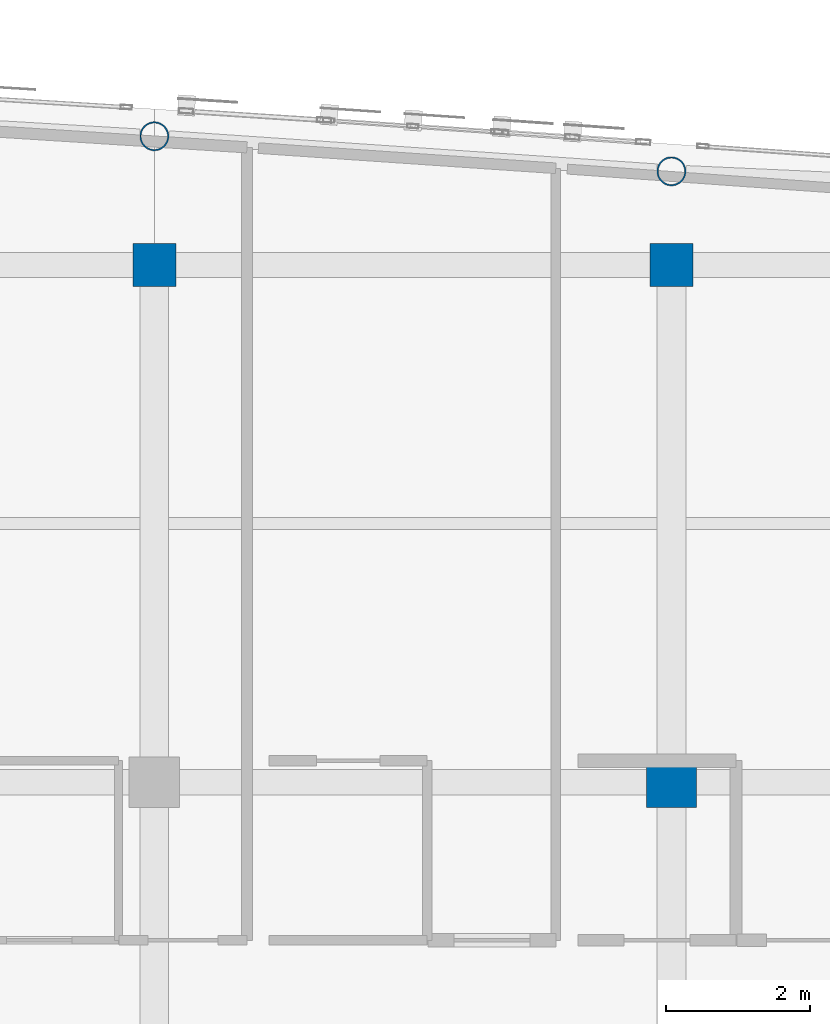
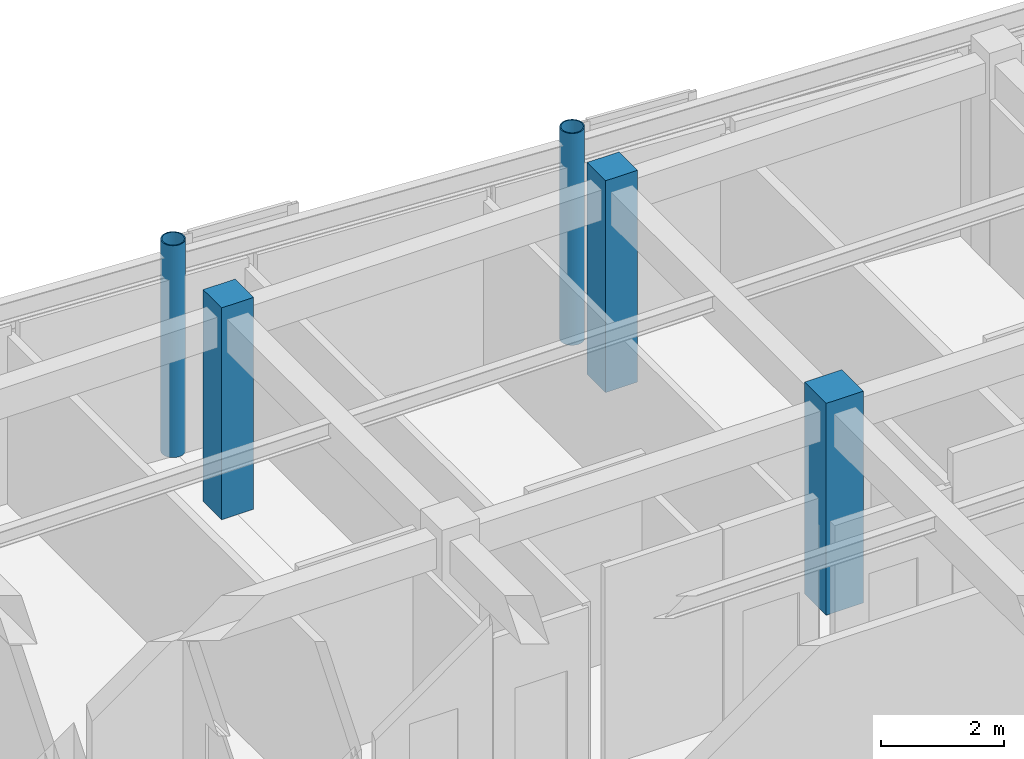
# One storey, part 12 of 113: 5 columns.
"""IFC4 building model written with IfcOpenShell, lengths in metres."""

from ifc_helpers import new_model, si_unit, direction, frame, origin, origin_2d, place, context, subcontext, project, spatial, rectangle, hollow_circle, extrude, material, material_profile, profile_set, type_object, element, save


model = new_model("IFC4")

# Units and contexts
model_context = context("Model", 3, precision=1e-05, world=origin(), true_north=direction((0.0, 1.0)))
body_context = subcontext(model_context, "Body", "Model", "MODEL_VIEW")
ifc_project = project(units=[si_unit("LENGTHUNIT", "METRE"), si_unit("AREAUNIT", "SQUARE_METRE"), si_unit("VOLUMEUNIT", "CUBIC_METRE"), si_unit("PLANEANGLEUNIT", "RADIAN"), si_unit("MASSUNIT", "GRAM", prefix="KILO")], contexts=[model_context])

# Site, building, storey
site_placement = place(None, origin())
site = spatial("IfcSite", under=ifc_project, at=site_placement, CompositionType="ELEMENT")
building_placement = place(site_placement, origin())
building = spatial("IfcBuilding", under=site, at=building_placement, Name="Carrowvane Square Congress Hotel", CompositionType="ELEMENT")
storey_placement = place(building_placement, frame((0.0, 0.0, 15.0)))
storey = spatial("IfcBuildingStorey", under=building, at=storey_placement, Name="L03", CompositionType="ELEMENT", Elevation=15.0)

# Columns
ifc_material_1 = material(Name="Concrete C40/50", Category="concrete")
ifc_material_profile_1 = material_profile(ifc_material_1, rectangle(XDim=0.60009765625, YDim=0.60009765625, at=origin_2d()), Name="RC 600x600")
ifc_profile_set_1 = profile_set([ifc_material_profile_1], Name="Concrete C40/50")
column_type_1 = type_object("IfcColumnType", Name="COL-RC-600", PredefinedType="COLUMN", material=ifc_profile_set_1)
for number, where, z_axis, x_axis, name in (
    (1, (126.800048828125, 113.39990234375, 0.0), (0.0, 0.0, 1.0), (1.0, 0.0, 0.0), "L03 column 17/R"),
    (2, (134.0, 113.39990234375, 0.0), (0.0, 0.0, 1.0), (1.0, 0.0, 0.0), "L03 column 18/R"),
):
    element("IfcColumn", number, at=place(storey_placement, frame(where, z_axis=z_axis, x_axis=x_axis)), inside=storey, type_object=column_type_1, Name=name, PredefinedType="COLUMN", context=body_context, shape_type="SweptSolid", body=[
        extrude(rectangle(XDim=0.60009765625, YDim=0.60009765625, at=origin_2d()), origin(), (0.0, 0.0, 1.0), 4.199951171875),
    ])
ifc_material_2 = material(Name="Concrete C40/50", Category="concrete")
ifc_material_profile_2 = material_profile(ifc_material_2, rectangle(XDim=0.699951171875, YDim=0.699951171875, at=origin_2d()), Name="RC 700x700")
ifc_profile_set_2 = profile_set([ifc_material_profile_2], Name="Concrete C40/50")
column_type_2 = type_object("IfcColumnType", Name="COL-RC-700", PredefinedType="COLUMN", material=ifc_profile_set_2)
column_placement = place(storey_placement, frame((134.0, 106.199951171875, 0.0), z_axis=(0.0, 0.0, 1.0), x_axis=(1.0, 0.0, 0.0)))
element("IfcColumn", 3, at=column_placement, inside=storey, type_object=column_type_2, Name="L03 column 18/Q", PredefinedType="COLUMN", context=body_context, shape_type="SweptSolid", body=[
    extrude(rectangle(XDim=0.699951171875, YDim=0.699951171875, at=origin_2d()), origin(), (0.0, 0.0, 1.0), 4.199951171875),
])
ifc_material_3 = material(Name="Steel S355", Category="steel")
ifc_material_profile_3 = material_profile(ifc_material_3, hollow_circle(Radius=0.203125, WallThickness=0.02001953125, at=origin_2d()), Name="CHS 406.4x20")
ifc_profile_set_3 = profile_set([ifc_material_profile_3], Name="Steel S355")
column_type_3 = type_object("IfcColumnType", Name="COL-ST-CHS406", PredefinedType="COLUMN", material=ifc_profile_set_3)
for number, where, z_axis, x_axis, name in (
    (4, (126.800048828125, 115.1943359375, 0.0), (0.0, 0.0, 1.0), (1.0, 0.0, 0.0), "L03 column 17/ARC"),
    (5, (134.0, 114.7060546875, 0.0), (0.0, 0.0, 1.0), (1.0, 0.0, 0.0), "L03 column 18/ARC"),
):
    element("IfcColumn", number, at=place(storey_placement, frame(where, z_axis=z_axis, x_axis=x_axis)), inside=storey, type_object=column_type_3, Name=name, PredefinedType="COLUMN", context=body_context, shape_type="SweptSolid", body=[
        extrude(hollow_circle(Radius=0.203125, WallThickness=0.02001953125, at=origin_2d()), origin(), (0.0, 0.0, 1.0), 4.199951171875),
    ])

save(model, "model.ifc")
